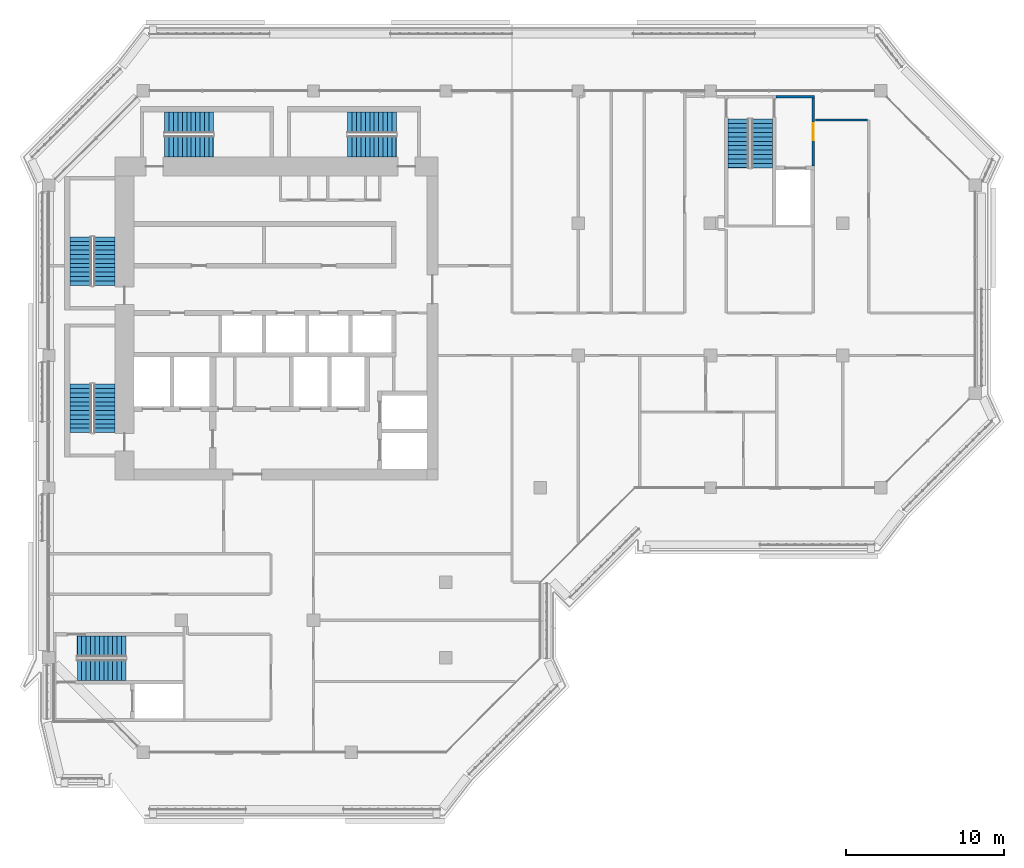
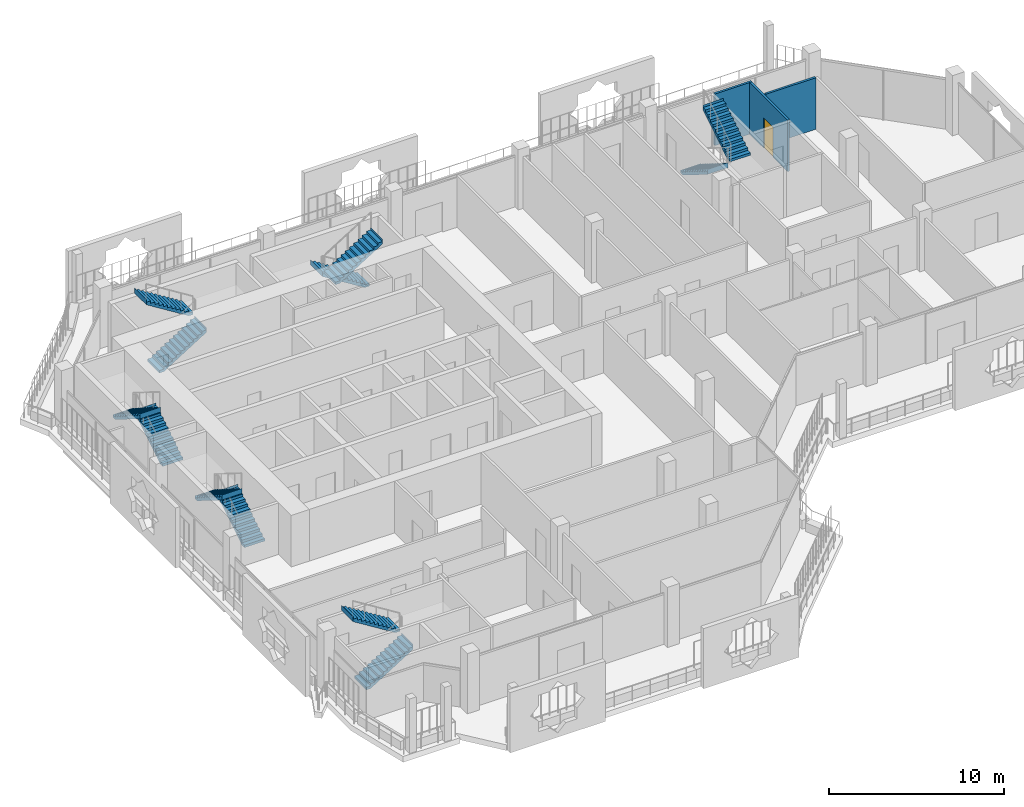
# One storey, part 14 of 21: 12 stair flights, 3 walls, 1 door, 1 opening, 6 elements without a shape of their own.
"""IFC4 building model written with IfcOpenShell, lengths in metres."""

from ifc_helpers import new_model, si_unit, direction, frame, frame_2d, origin, place, context, subcontext, project, spatial, polyline, rectangle, outline, extrude, material, layer, layer_set, type_object, element, fill, aggregate, save


model = new_model("IFC4")

# Units and contexts
model_context = context("Model", 3, precision=1e-05, world=origin(), true_north=direction((0.0, 1.0)))
body_context = subcontext(model_context, "Body", "Model", "MODEL_VIEW")
ifc_project = project(units=[si_unit("LENGTHUNIT", "METRE"), si_unit("AREAUNIT", "SQUARE_METRE"), si_unit("VOLUMEUNIT", "CUBIC_METRE"), si_unit("PLANEANGLEUNIT", "RADIAN"), si_unit("MASSUNIT", "GRAM", prefix="KILO")], contexts=[model_context])

# Site, building, storey
site_placement = place(None, origin())
site = spatial("IfcSite", under=ifc_project, at=site_placement, CompositionType="ELEMENT")
building_placement = place(site_placement, origin())
building = spatial("IfcBuilding", under=site, at=building_placement, Name="Kawkab Arch Medical Tower", CompositionType="ELEMENT")
storey_placement = place(building_placement, frame((0.0, 0.0, 319.60009765625)))
storey = spatial("IfcBuildingStorey", under=building, at=storey_placement, Name="L74", CompositionType="ELEMENT", Elevation=319.60009765625)

# Wall, opening, door
ifc_material_1 = material(Name="Gypsum board on steel studs", Category="steel")
ifc_layer_1 = layer(ifc_material_1, 0.14990234375)
ifc_layer_set_1 = layer_set([ifc_layer_1], Name="Gypsum board on steel studs")
wall_type_1 = type_object("IfcWallType", Name="Core room partition 150", PredefinedType="PARTITIONING", material=ifc_layer_set_1)
wall_1_placement = place(storey_placement, frame((48.52490234375, -4.77490234375, 0.0), z_axis=(0.0, 0.0, 1.0), x_axis=(0.0, 1.0, 0.0)))
wall_1 = element("IfcWall", 1, at=wall_1_placement, inside=storey, type_object=wall_type_1, Name="L74 core room partition", PredefinedType="PARTITIONING", context=body_context, shape_type="SweptSolid", body=[
    extrude(rectangle(XDim=4.324951171875, YDim=0.14990234375, at=frame_2d((2.16259765625, 0.0))), origin(), (0.0, 0.0, 1.0), 3.599853515625),
])
opening_placement = place(wall_1_placement, frame((1.625, 0.0, 0.0)))
opening = element("IfcOpeningElement", 2, at=opening_placement, cuts=wall_1, Name="Opening FD", PredefinedType="OPENING", context=body_context, shape_type="SweptSolid", body=[
    extrude(rectangle(XDim=1.10009765625, YDim=2.10009765625, at=frame_2d((0.550048828125, 1.050048828125))), frame((0.0, 0.0849609375, 0.0), z_axis=(0.0, -1.0, 0.0), x_axis=(1.0, 0.0, 0.0)), (0.0, 0.0, 1.0), 0.169921875),
])
ifc_material_2 = material(Name="Hollow metal fire door leaf")
door_type = type_object("IfcDoorType", Name="Firefighting lobby door 1100", OperationType="SINGLE_SWING_LEFT", PredefinedType="DOOR", material=ifc_material_2)
door_placement = place(opening_placement, origin())
door = element("IfcDoor", 3, at=door_placement, inside=storey, type_object=door_type, Name="L74 Service lift lobby door SV1", OperationType="SINGLE_SWING_LEFT", OverallHeight=2.10009765625, OverallWidth=1.10009765625, PredefinedType="DOOR", context=body_context, shape_type="SweptSolid", body=[
    extrude(rectangle(XDim=1.10009765625, YDim=2.10009765625, at=frame_2d((0.550048828125, 1.050048828125))), frame((0.0, 0.02490234375, 0.0), z_axis=(0.0, -1.0, 0.0), x_axis=(1.0, 0.0, 0.0)), (0.0, 0.0, 1.0), 0.050048828125),
])
fill(opening, door)

# Walls
ifc_material_3 = material(Name="Gypsum board partition on steel studs, mineral wool", Category="steel")
ifc_layer_2 = layer(ifc_material_3, 0.14990234375)
ifc_layer_set_2 = layer_set([ifc_layer_2], Name="Gypsum board partition on steel studs, mineral wool")
wall_type_2 = type_object("IfcWallType", Name="Partition 150", PredefinedType="PARTITIONING", material=ifc_layer_set_2)
wall_2_placement = place(storey_placement, frame((48.679931640625, -1.85009765625, 0.0), z_axis=(0.0, 0.0, 1.0), x_axis=(1.0, 0.0, 0.0)))
element("IfcWall", 4, at=wall_2_placement, inside=storey, type_object=wall_type_2, Name="Partition 150 w020", PredefinedType="PARTITIONING", context=body_context, shape_type="SweptSolid", body=[
    extrude(rectangle(XDim=3.287109375, YDim=0.14990234375, at=frame_2d((1.6435546875, 0.0))), origin(), (0.0, 0.0, 1.0), 3.599853515625),
])
ifc_material_4 = material(Name="Concrete C50/60", Category="concrete")
ifc_layer_3 = layer(ifc_material_4, 0.14990234375)
ifc_layer_set_3 = layer_set([ifc_layer_3], Name="Concrete C50/60")
wall_type_3 = type_object("IfcWallType", Name="Stair enclosure wall 150 C50/60", PredefinedType="SHEAR", material=ifc_layer_set_3)
wall_3_placement = place(storey_placement, frame((46.14990234375, -0.375, 0.0), z_axis=(0.0, 0.0, 1.0), x_axis=(1.0, 0.0, 0.0)))
element("IfcWall", 5, at=wall_3_placement, inside=storey, type_object=wall_type_3, Name="L74 stair enclosure wall", PredefinedType="SHEAR", context=body_context, shape_type="SweptSolid", body=[
    extrude(rectangle(XDim=2.4501953125, YDim=0.14990234375, at=frame_2d((1.22509765625, 0.0))), origin(), (0.0, 0.0, 1.0), 3.599853515625),
])

# Stair, stair flights
ifc_material_5 = material(Name="Concrete C40/50", Category="concrete")
stair_type = type_object("IfcStairType", Name="Exit stair 1350", PredefinedType="HALF_TURN_STAIR", material=ifc_material_5)
placement = place(storey_placement, origin())
stair_1 = element("IfcStair", 6, at=placement, inside=storey, type_object=stair_type, Name="L74 Exit stair ST1", PredefinedType="HALF_TURN_STAIR")
ifc_material_6 = material(Name="Concrete C40/50", Category="concrete")
stair_flight_type = type_object("IfcStairFlightType", Name="Exit stair flight 1350", PredefinedType="STRAIGHT", material=ifc_material_6)
stair_flight_1_placement = place(storey_placement, frame((3.52490234375, -12.35009765625, 0.0), z_axis=(0.0, 0.0, 1.0), x_axis=(0.0, 1.0, 0.0)))
stair_flight_1 = element("IfcStairFlight", 7, at=stair_flight_1_placement, type_object=stair_flight_type, Name="ST1 flight 1", NumberOfRisers=12, NumberOfTreads=11, PredefinedType="STRAIGHT", RiserHeight=0.175, TreadLength=0.28, context=body_context, shape_type="SweptSolid", body=[
    extrude(outline(polyline([(-0.0029296875, 0.0), (-0.0029296875, 0.175048828125), (0.0, 0.175048828125), (0.280029296875, 0.175048828125), (0.280029296875, 0.35009765625), (0.56005859375, 0.35009765625), (0.56005859375, 0.52490234375), (0.840087890625, 0.52490234375), (0.840087890625, 0.699951171875), (1.1201171875, 0.699951171875), (1.1201171875, 0.875), (1.39990234375, 0.875), (1.39990234375, 1.050048828125), (1.679931640625, 1.050048828125), (1.679931640625, 1.22509765625), (1.9599609375, 1.22509765625), (1.9599609375, 1.39990234375), (2.239990234375, 1.39990234375), (2.239990234375, 1.574951171875), (2.52001953125, 1.574951171875), (2.52001953125, 1.75), (2.800048828125, 1.75), (2.800048828125, 1.925048828125), (3.080078125, 1.925048828125), (3.080078125, 2.10009765625), (3.0830078125, 2.10009765625), (3.0830078125, 1.748291015625), (3.080078125, 1.748291015625), (0.28271484375, 0.0), (-0.0029296875, 0.0)])), frame((0.0, 0.675048828125, 0.0), z_axis=(0.0, -1.0, 0.0), x_axis=(1.0, 0.0, 0.0)), (0.0, 0.0, 1.0), 1.35009765625),
])
stair_flight_2_placement = place(storey_placement, frame((2.02490234375, -9.27001953125, 2.099853515625), z_axis=(0.0, 0.0, 1.0), x_axis=(0.0, -1.0, 0.0)))
stair_flight_2 = element("IfcStairFlight", 8, at=stair_flight_2_placement, type_object=stair_flight_type, Name="ST1 flight 2", NumberOfRisers=12, NumberOfTreads=11, PredefinedType="STRAIGHT", RiserHeight=0.175, TreadLength=0.28, context=body_context, shape_type="SweptSolid", body=[
    extrude(outline(polyline([(-0.0029296875, 0.0), (-0.0029296875, 0.175048828125), (0.0, 0.175048828125), (0.280029296875, 0.175048828125), (0.280029296875, 0.35009765625), (0.56005859375, 0.35009765625), (0.56005859375, 0.52490234375), (0.840087890625, 0.52490234375), (0.840087890625, 0.699951171875), (1.1201171875, 0.699951171875), (1.1201171875, 0.875), (1.39990234375, 0.875), (1.39990234375, 1.050048828125), (1.679931640625, 1.050048828125), (1.679931640625, 1.22509765625), (1.9599609375, 1.22509765625), (1.9599609375, 1.39990234375), (2.239990234375, 1.39990234375), (2.239990234375, 1.574951171875), (2.52001953125, 1.574951171875), (2.52001953125, 1.75), (2.800048828125, 1.75), (2.800048828125, 1.925048828125), (3.080078125, 1.925048828125), (3.080078125, 2.10009765625), (3.0830078125, 2.10009765625), (3.0830078125, 1.748291015625), (3.080078125, 1.748291015625), (0.28271484375, 0.0), (-0.0029296875, 0.0)])), frame((0.0, 0.675048828125, 0.0), z_axis=(0.0, -1.0, 0.0), x_axis=(1.0, 0.0, 0.0)), (0.0, 0.0, 1.0), 1.35009765625),
])
aggregate(stair_1, [stair_flight_1, stair_flight_2])

stair_2 = element("IfcStair", 9, at=placement, inside=storey, type_object=stair_type, Name="L74 Exit stair ST2", PredefinedType="HALF_TURN_STAIR")
stair_flight_3_placement = place(storey_placement, frame((3.52490234375, -21.699951171875, 0.0), z_axis=(0.0, 0.0, 1.0), x_axis=(0.0, 1.0, 0.0)))
stair_flight_3 = element("IfcStairFlight", 10, at=stair_flight_3_placement, type_object=stair_flight_type, Name="ST2 flight 1", NumberOfRisers=12, NumberOfTreads=11, PredefinedType="STRAIGHT", RiserHeight=0.175, TreadLength=0.28, context=body_context, shape_type="SweptSolid", body=[
    extrude(outline(polyline([(-0.0029296875, 0.0), (-0.0029296875, 0.175048828125), (0.0, 0.175048828125), (0.280029296875, 0.175048828125), (0.280029296875, 0.35009765625), (0.56005859375, 0.35009765625), (0.56005859375, 0.52490234375), (0.840087890625, 0.52490234375), (0.840087890625, 0.699951171875), (1.1201171875, 0.699951171875), (1.1201171875, 0.875), (1.39990234375, 0.875), (1.39990234375, 1.050048828125), (1.679931640625, 1.050048828125), (1.679931640625, 1.22509765625), (1.9599609375, 1.22509765625), (1.9599609375, 1.39990234375), (2.239990234375, 1.39990234375), (2.239990234375, 1.574951171875), (2.52001953125, 1.574951171875), (2.52001953125, 1.75), (2.800048828125, 1.75), (2.800048828125, 1.925048828125), (3.080078125, 1.925048828125), (3.080078125, 2.10009765625), (3.0830078125, 2.10009765625), (3.0830078125, 1.748291015625), (3.080078125, 1.748291015625), (0.28271484375, 0.0), (-0.0029296875, 0.0)])), frame((0.0, 0.675048828125, 0.0), z_axis=(0.0, -1.0, 0.0), x_axis=(1.0, 0.0, 0.0)), (0.0, 0.0, 1.0), 1.35009765625),
])
stair_flight_4_placement = place(storey_placement, frame((2.02490234375, -18.6201171875, 2.099853515625), z_axis=(0.0, 0.0, 1.0), x_axis=(0.0, -1.0, 0.0)))
stair_flight_4 = element("IfcStairFlight", 11, at=stair_flight_4_placement, type_object=stair_flight_type, Name="ST2 flight 2", NumberOfRisers=12, NumberOfTreads=11, PredefinedType="STRAIGHT", RiserHeight=0.175, TreadLength=0.28, context=body_context, shape_type="SweptSolid", body=[
    extrude(outline(polyline([(-0.0029296875, 0.0), (-0.0029296875, 0.175048828125), (0.0, 0.175048828125), (0.280029296875, 0.175048828125), (0.280029296875, 0.35009765625), (0.56005859375, 0.35009765625), (0.56005859375, 0.52490234375), (0.840087890625, 0.52490234375), (0.840087890625, 0.699951171875), (1.1201171875, 0.699951171875), (1.1201171875, 0.875), (1.39990234375, 0.875), (1.39990234375, 1.050048828125), (1.679931640625, 1.050048828125), (1.679931640625, 1.22509765625), (1.9599609375, 1.22509765625), (1.9599609375, 1.39990234375), (2.239990234375, 1.39990234375), (2.239990234375, 1.574951171875), (2.52001953125, 1.574951171875), (2.52001953125, 1.75), (2.800048828125, 1.75), (2.800048828125, 1.925048828125), (3.080078125, 1.925048828125), (3.080078125, 2.10009765625), (3.0830078125, 2.10009765625), (3.0830078125, 1.748291015625), (3.080078125, 1.748291015625), (0.28271484375, 0.0), (-0.0029296875, 0.0)])), frame((0.0, 0.675048828125, 0.0), z_axis=(0.0, -1.0, 0.0), x_axis=(1.0, 0.0, 0.0)), (0.0, 0.0, 1.0), 1.35009765625),
])
aggregate(stair_2, [stair_flight_3, stair_flight_4])

stair_3 = element("IfcStair", 12, at=placement, inside=storey, type_object=stair_type, Name="L74 Exit stair ST3", PredefinedType="HALF_TURN_STAIR")
stair_flight_5_placement = place(storey_placement, frame((7.35009765625, -3.52490234375, 0.0), z_axis=(0.0, 0.0, 1.0), x_axis=(1.0, 0.0, 0.0)))
stair_flight_5 = element("IfcStairFlight", 13, at=stair_flight_5_placement, type_object=stair_flight_type, Name="ST3 flight 1", NumberOfRisers=12, NumberOfTreads=11, PredefinedType="STRAIGHT", RiserHeight=0.175, TreadLength=0.28, context=body_context, shape_type="SweptSolid", body=[
    extrude(outline(polyline([(-0.0029296875, 0.0), (-0.0029296875, 0.175048828125), (0.0, 0.175048828125), (0.280029296875, 0.175048828125), (0.280029296875, 0.35009765625), (0.56005859375, 0.35009765625), (0.56005859375, 0.52490234375), (0.840087890625, 0.52490234375), (0.840087890625, 0.699951171875), (1.1201171875, 0.699951171875), (1.1201171875, 0.875), (1.39990234375, 0.875), (1.39990234375, 1.050048828125), (1.679931640625, 1.050048828125), (1.679931640625, 1.22509765625), (1.9599609375, 1.22509765625), (1.9599609375, 1.39990234375), (2.239990234375, 1.39990234375), (2.239990234375, 1.574951171875), (2.52001953125, 1.574951171875), (2.52001953125, 1.75), (2.800048828125, 1.75), (2.800048828125, 1.925048828125), (3.080078125, 1.925048828125), (3.080078125, 2.10009765625), (3.0830078125, 2.10009765625), (3.0830078125, 1.748291015625), (3.080078125, 1.748291015625), (0.28271484375, 0.0), (-0.0029296875, 0.0)])), frame((0.0, 0.675048828125, 0.0), z_axis=(0.0, -1.0, 0.0), x_axis=(1.0, 0.0, 0.0)), (0.0, 0.0, 1.0), 1.35009765625),
])
stair_flight_6_placement = place(storey_placement, frame((10.429931640625, -2.02490234375, 2.099853515625), z_axis=(0.0, 0.0, 1.0), x_axis=(-1.0, 0.0, 0.0)))
stair_flight_6 = element("IfcStairFlight", 14, at=stair_flight_6_placement, type_object=stair_flight_type, Name="ST3 flight 2", NumberOfRisers=12, NumberOfTreads=11, PredefinedType="STRAIGHT", RiserHeight=0.175, TreadLength=0.28, context=body_context, shape_type="SweptSolid", body=[
    extrude(outline(polyline([(-0.0029296875, 0.0), (-0.0029296875, 0.175048828125), (0.0, 0.175048828125), (0.280029296875, 0.175048828125), (0.280029296875, 0.35009765625), (0.56005859375, 0.35009765625), (0.56005859375, 0.52490234375), (0.840087890625, 0.52490234375), (0.840087890625, 0.699951171875), (1.1201171875, 0.699951171875), (1.1201171875, 0.875), (1.39990234375, 0.875), (1.39990234375, 1.050048828125), (1.679931640625, 1.050048828125), (1.679931640625, 1.22509765625), (1.9599609375, 1.22509765625), (1.9599609375, 1.39990234375), (2.239990234375, 1.39990234375), (2.239990234375, 1.574951171875), (2.52001953125, 1.574951171875), (2.52001953125, 1.75), (2.800048828125, 1.75), (2.800048828125, 1.925048828125), (3.080078125, 1.925048828125), (3.080078125, 2.10009765625), (3.0830078125, 2.10009765625), (3.0830078125, 1.748291015625), (3.080078125, 1.748291015625), (0.28271484375, 0.0), (-0.0029296875, 0.0)])), frame((0.0, 0.675048828125, 0.0), z_axis=(0.0, -1.0, 0.0), x_axis=(1.0, 0.0, 0.0)), (0.0, 0.0, 1.0), 1.35009765625),
])
aggregate(stair_3, [stair_flight_5, stair_flight_6])

stair_4 = element("IfcStair", 15, at=placement, inside=storey, type_object=stair_type, Name="L74 Exit stair ST4", PredefinedType="HALF_TURN_STAIR")
stair_flight_7_placement = place(storey_placement, frame((22.050048828125, -2.02490234375, 0.0), z_axis=(0.0, 0.0, 1.0), x_axis=(-1.0, 0.0, 0.0)))
stair_flight_7 = element("IfcStairFlight", 16, at=stair_flight_7_placement, type_object=stair_flight_type, Name="ST4 flight 1", NumberOfRisers=12, NumberOfTreads=11, PredefinedType="STRAIGHT", RiserHeight=0.175, TreadLength=0.28, context=body_context, shape_type="SweptSolid", body=[
    extrude(outline(polyline([(-0.0029296875, 0.0), (-0.0029296875, 0.175048828125), (0.0, 0.175048828125), (0.280029296875, 0.175048828125), (0.280029296875, 0.35009765625), (0.56005859375, 0.35009765625), (0.56005859375, 0.52490234375), (0.840087890625, 0.52490234375), (0.840087890625, 0.699951171875), (1.1201171875, 0.699951171875), (1.1201171875, 0.875), (1.39990234375, 0.875), (1.39990234375, 1.050048828125), (1.679931640625, 1.050048828125), (1.679931640625, 1.22509765625), (1.9599609375, 1.22509765625), (1.9599609375, 1.39990234375), (2.239990234375, 1.39990234375), (2.239990234375, 1.574951171875), (2.52001953125, 1.574951171875), (2.52001953125, 1.75), (2.800048828125, 1.75), (2.800048828125, 1.925048828125), (3.080078125, 1.925048828125), (3.080078125, 2.10009765625), (3.0830078125, 2.10009765625), (3.0830078125, 1.748291015625), (3.080078125, 1.748291015625), (0.28271484375, 0.0), (-0.0029296875, 0.0)])), frame((0.0, 0.675048828125, 0.0), z_axis=(0.0, -1.0, 0.0), x_axis=(1.0, 0.0, 0.0)), (0.0, 0.0, 1.0), 1.35009765625),
])
stair_flight_8_placement = place(storey_placement, frame((18.969970703125, -3.52490234375, 2.099853515625), z_axis=(0.0, 0.0, 1.0), x_axis=(1.0, 0.0, 0.0)))
stair_flight_8 = element("IfcStairFlight", 17, at=stair_flight_8_placement, type_object=stair_flight_type, Name="ST4 flight 2", NumberOfRisers=12, NumberOfTreads=11, PredefinedType="STRAIGHT", RiserHeight=0.175, TreadLength=0.28, context=body_context, shape_type="SweptSolid", body=[
    extrude(outline(polyline([(-0.0029296875, 0.0), (-0.0029296875, 0.175048828125), (0.0, 0.175048828125), (0.280029296875, 0.175048828125), (0.280029296875, 0.35009765625), (0.56005859375, 0.35009765625), (0.56005859375, 0.52490234375), (0.840087890625, 0.52490234375), (0.840087890625, 0.699951171875), (1.1201171875, 0.699951171875), (1.1201171875, 0.875), (1.39990234375, 0.875), (1.39990234375, 1.050048828125), (1.679931640625, 1.050048828125), (1.679931640625, 1.22509765625), (1.9599609375, 1.22509765625), (1.9599609375, 1.39990234375), (2.239990234375, 1.39990234375), (2.239990234375, 1.574951171875), (2.52001953125, 1.574951171875), (2.52001953125, 1.75), (2.800048828125, 1.75), (2.800048828125, 1.925048828125), (3.080078125, 1.925048828125), (3.080078125, 2.10009765625), (3.0830078125, 2.10009765625), (3.0830078125, 1.748291015625), (3.080078125, 1.748291015625), (0.28271484375, 0.0), (-0.0029296875, 0.0)])), frame((0.0, 0.675048828125, 0.0), z_axis=(0.0, -1.0, 0.0), x_axis=(1.0, 0.0, 0.0)), (0.0, 0.0, 1.0), 1.35009765625),
])
aggregate(stair_4, [stair_flight_7, stair_flight_8])

stair_5 = element("IfcStair", 18, at=placement, inside=storey, type_object=stair_type, Name="L74 Exit stair ST5", PredefinedType="HALF_TURN_STAIR")
stair_flight_9_placement = place(storey_placement, frame((43.77490234375, -1.800048828125, 0.0), z_axis=(0.0, 0.0, 1.0), x_axis=(0.0, -1.0, 0.0)))
stair_flight_9 = element("IfcStairFlight", 19, at=stair_flight_9_placement, type_object=stair_flight_type, Name="ST5 flight 1", NumberOfRisers=12, NumberOfTreads=11, PredefinedType="STRAIGHT", RiserHeight=0.175, TreadLength=0.28, context=body_context, shape_type="SweptSolid", body=[
    extrude(outline(polyline([(-0.0029296875, 0.0), (-0.0029296875, 0.175048828125), (0.0, 0.175048828125), (0.280029296875, 0.175048828125), (0.280029296875, 0.35009765625), (0.56005859375, 0.35009765625), (0.56005859375, 0.52490234375), (0.840087890625, 0.52490234375), (0.840087890625, 0.699951171875), (1.1201171875, 0.699951171875), (1.1201171875, 0.875), (1.39990234375, 0.875), (1.39990234375, 1.050048828125), (1.679931640625, 1.050048828125), (1.679931640625, 1.22509765625), (1.9599609375, 1.22509765625), (1.9599609375, 1.39990234375), (2.239990234375, 1.39990234375), (2.239990234375, 1.574951171875), (2.52001953125, 1.574951171875), (2.52001953125, 1.75), (2.800048828125, 1.75), (2.800048828125, 1.925048828125), (3.080078125, 1.925048828125), (3.080078125, 2.10009765625), (3.0830078125, 2.10009765625), (3.0830078125, 1.748291015625), (3.080078125, 1.748291015625), (0.28271484375, 0.0), (-0.0029296875, 0.0)])), frame((0.0, 0.675048828125, 0.0), z_axis=(0.0, -1.0, 0.0), x_axis=(1.0, 0.0, 0.0)), (0.0, 0.0, 1.0), 1.35009765625),
])
stair_flight_10_placement = place(storey_placement, frame((45.27490234375, -4.8798828125, 2.099853515625), z_axis=(0.0, 0.0, 1.0), x_axis=(0.0, 1.0, 0.0)))
stair_flight_10 = element("IfcStairFlight", 20, at=stair_flight_10_placement, type_object=stair_flight_type, Name="ST5 flight 2", NumberOfRisers=12, NumberOfTreads=11, PredefinedType="STRAIGHT", RiserHeight=0.175, TreadLength=0.28, context=body_context, shape_type="SweptSolid", body=[
    extrude(outline(polyline([(-0.0029296875, 0.0), (-0.0029296875, 0.175048828125), (0.0, 0.175048828125), (0.280029296875, 0.175048828125), (0.280029296875, 0.35009765625), (0.56005859375, 0.35009765625), (0.56005859375, 0.52490234375), (0.840087890625, 0.52490234375), (0.840087890625, 0.699951171875), (1.1201171875, 0.699951171875), (1.1201171875, 0.875), (1.39990234375, 0.875), (1.39990234375, 1.050048828125), (1.679931640625, 1.050048828125), (1.679931640625, 1.22509765625), (1.9599609375, 1.22509765625), (1.9599609375, 1.39990234375), (2.239990234375, 1.39990234375), (2.239990234375, 1.574951171875), (2.52001953125, 1.574951171875), (2.52001953125, 1.75), (2.800048828125, 1.75), (2.800048828125, 1.925048828125), (3.080078125, 1.925048828125), (3.080078125, 2.10009765625), (3.0830078125, 2.10009765625), (3.0830078125, 1.748291015625), (3.080078125, 1.748291015625), (0.28271484375, 0.0), (-0.0029296875, 0.0)])), frame((0.0, 0.675048828125, 0.0), z_axis=(0.0, -1.0, 0.0), x_axis=(1.0, 0.0, 0.0)), (0.0, 0.0, 1.0), 1.35009765625),
])
aggregate(stair_5, [stair_flight_9, stair_flight_10])

stair_6 = element("IfcStair", 21, at=placement, inside=storey, type_object=stair_type, Name="L74 Exit stair ST6", PredefinedType="HALF_TURN_STAIR")
stair_flight_11_placement = place(storey_placement, frame((1.800048828125, -36.77490234375, 0.0), z_axis=(0.0, 0.0, 1.0), x_axis=(1.0, 0.0, 0.0)))
stair_flight_11 = element("IfcStairFlight", 22, at=stair_flight_11_placement, type_object=stair_flight_type, Name="ST6 flight 1", NumberOfRisers=12, NumberOfTreads=11, PredefinedType="STRAIGHT", RiserHeight=0.175, TreadLength=0.28, context=body_context, shape_type="SweptSolid", body=[
    extrude(outline(polyline([(-0.0029296875, 0.0), (-0.0029296875, 0.175048828125), (0.0, 0.175048828125), (0.280029296875, 0.175048828125), (0.280029296875, 0.35009765625), (0.56005859375, 0.35009765625), (0.56005859375, 0.52490234375), (0.840087890625, 0.52490234375), (0.840087890625, 0.699951171875), (1.1201171875, 0.699951171875), (1.1201171875, 0.875), (1.39990234375, 0.875), (1.39990234375, 1.050048828125), (1.679931640625, 1.050048828125), (1.679931640625, 1.22509765625), (1.9599609375, 1.22509765625), (1.9599609375, 1.39990234375), (2.239990234375, 1.39990234375), (2.239990234375, 1.574951171875), (2.52001953125, 1.574951171875), (2.52001953125, 1.75), (2.800048828125, 1.75), (2.800048828125, 1.925048828125), (3.080078125, 1.925048828125), (3.080078125, 2.10009765625), (3.0830078125, 2.10009765625), (3.0830078125, 1.748291015625), (3.080078125, 1.748291015625), (0.28271484375, 0.0), (-0.0029296875, 0.0)])), frame((0.0, 0.675048828125, 0.0), z_axis=(0.0, -1.0, 0.0), x_axis=(1.0, 0.0, 0.0)), (0.0, 0.0, 1.0), 1.35009765625),
])
stair_flight_12_placement = place(storey_placement, frame((4.8798828125, -35.27490234375, 2.099853515625), z_axis=(0.0, 0.0, 1.0), x_axis=(-1.0, 0.0, 0.0)))
stair_flight_12 = element("IfcStairFlight", 23, at=stair_flight_12_placement, type_object=stair_flight_type, Name="ST6 flight 2", NumberOfRisers=12, NumberOfTreads=11, PredefinedType="STRAIGHT", RiserHeight=0.175, TreadLength=0.28, context=body_context, shape_type="SweptSolid", body=[
    extrude(outline(polyline([(-0.0029296875, 0.0), (-0.0029296875, 0.175048828125), (0.0, 0.175048828125), (0.280029296875, 0.175048828125), (0.280029296875, 0.35009765625), (0.56005859375, 0.35009765625), (0.56005859375, 0.52490234375), (0.840087890625, 0.52490234375), (0.840087890625, 0.699951171875), (1.1201171875, 0.699951171875), (1.1201171875, 0.875), (1.39990234375, 0.875), (1.39990234375, 1.050048828125), (1.679931640625, 1.050048828125), (1.679931640625, 1.22509765625), (1.9599609375, 1.22509765625), (1.9599609375, 1.39990234375), (2.239990234375, 1.39990234375), (2.239990234375, 1.574951171875), (2.52001953125, 1.574951171875), (2.52001953125, 1.75), (2.800048828125, 1.75), (2.800048828125, 1.925048828125), (3.080078125, 1.925048828125), (3.080078125, 2.10009765625), (3.0830078125, 2.10009765625), (3.0830078125, 1.748291015625), (3.080078125, 1.748291015625), (0.28271484375, 0.0), (-0.0029296875, 0.0)])), frame((0.0, 0.675048828125, 0.0), z_axis=(0.0, -1.0, 0.0), x_axis=(1.0, 0.0, 0.0)), (0.0, 0.0, 1.0), 1.35009765625),
])
aggregate(stair_6, [stair_flight_11, stair_flight_12])

save(model, "model.ifc")
